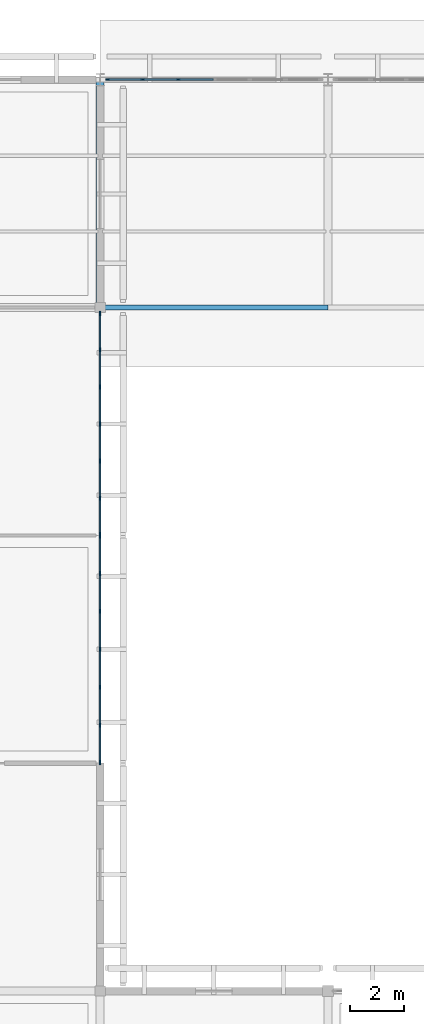
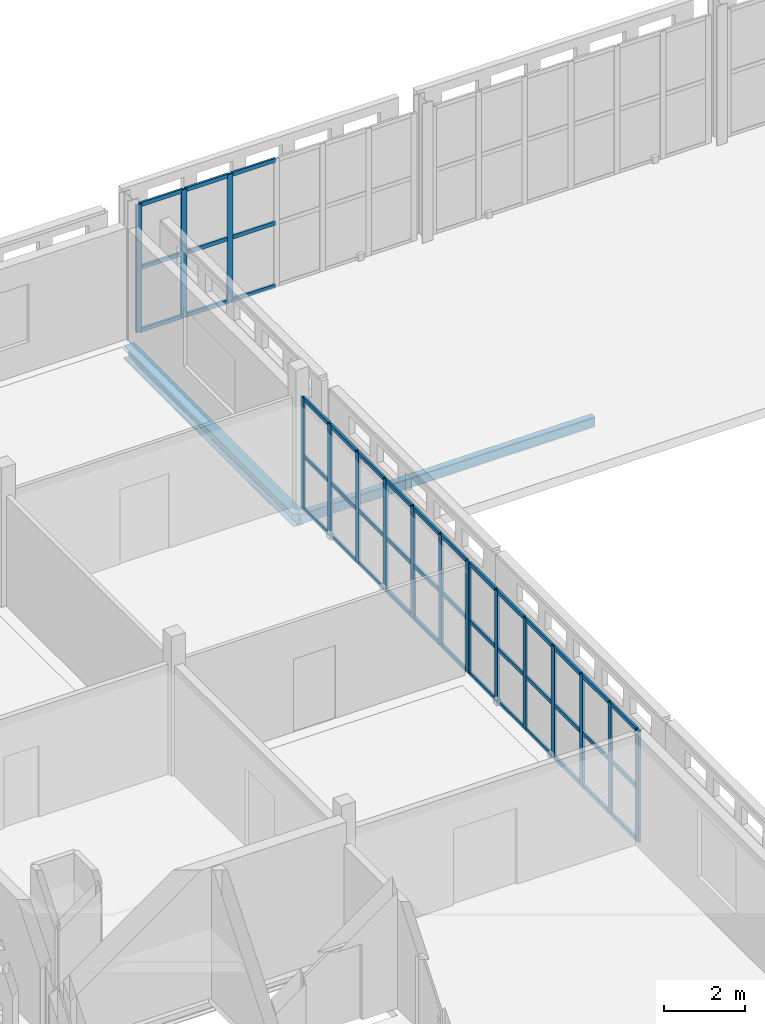
# One storey, part 49 of 166: 62 members, 2 beams, 3 elements without a shape of their own.
"""IFC4 building model written with IfcOpenShell, lengths in metres."""

from ifc_helpers import new_model, si_unit, direction, frame, origin, origin_2d, place, context, subcontext, project, spatial, rectangle, hollow_rectangle, i_section, extrude, material, layer, layer_set, material_profile, profile_set, type_object, element, aggregate, save


model = new_model("IFC4")

# Units and contexts
model_context = context("Model", 3, precision=1e-05, world=origin(), true_north=direction((0.0, 1.0)))
body_context = subcontext(model_context, "Body", "Model", "MODEL_VIEW")
ifc_project = project(units=[si_unit("LENGTHUNIT", "METRE"), si_unit("AREAUNIT", "SQUARE_METRE"), si_unit("VOLUMEUNIT", "CUBIC_METRE"), si_unit("PLANEANGLEUNIT", "RADIAN"), si_unit("MASSUNIT", "GRAM", prefix="KILO")], contexts=[model_context])

# Site, building, storey
site_placement = place(None, origin())
site = spatial("IfcSite", under=ifc_project, at=site_placement, CompositionType="ELEMENT")
building_placement = place(site_placement, origin())
building = spatial("IfcBuilding", under=site, at=building_placement, Name="Varnapada Polytechnic", CompositionType="ELEMENT")
storey_placement = place(building_placement, frame((0.0, 0.0, 9.60009765625)))
storey = spatial("IfcBuildingStorey", under=building, at=storey_placement, Name="L02", CompositionType="ELEMENT", Elevation=9.60009765625)

# Curtain wall, members
ifc_material_1 = material(Name="Double low-E laminated glass", Category="glass")
ifc_layer = layer(ifc_material_1, 0.159912109375)
ifc_layer_set = layer_set([ifc_layer], Name="Double low-E laminated glass")
curtain_wall_type = type_object("IfcCurtainWallType", Name="Curtain Wall CW-02", PredefinedType="NOTDEFINED", material=ifc_layer_set)
curtain_wall_1_placement = place(storey_placement, origin())
curtain_wall_1 = element("IfcCurtainWall", 1, at=curtain_wall_1_placement, inside=storey, type_object=curtain_wall_type, Name="L02 unitised curtain wall CW-02 (163)", PredefinedType="NOTDEFINED")
ifc_material_2 = material(Name="Anodised aluminium", Category="aluminium")
ifc_material_profile_1 = material_profile(ifc_material_2, rectangle(XDim=0.06005859375, YDim=0.159912109375, at=origin_2d()), Name="ALU M60x160")
ifc_profile_set_1 = profile_set([ifc_material_profile_1], Name="Anodised aluminium")
member_type_1 = type_object("IfcMemberType", Name="Mullion M-01", PredefinedType="MULLION", material=ifc_profile_set_1)
member_1_placement = place(storey_placement, frame((67.199951171875, 109.169921875, 0.0), z_axis=(0.0, 0.0, 1.0), x_axis=(1.0, 0.0, 0.0)))
member_1 = element("IfcMember", 2, at=member_1_placement, type_object=member_type_1, Name="CW-02 mullion 1", PredefinedType="MULLION", context=body_context, shape_type="SweptSolid", body=[
    extrude(rectangle(XDim=0.06005859375, YDim=0.159912109375, at=origin_2d()), origin(), (0.0, 0.0, 1.0), 3.35986328125),
])
member_2_placement = place(storey_placement, frame((67.199951171875, 107.800048828125, 0.0), z_axis=(0.0, 0.0, 1.0), x_axis=(1.0, 0.0, 0.0)))
member_2 = element("IfcMember", 3, at=member_2_placement, type_object=member_type_1, Name="CW-02 mullion 2", PredefinedType="MULLION", context=body_context, shape_type="SweptSolid", body=[
    extrude(rectangle(XDim=0.06005859375, YDim=0.159912109375, at=origin_2d()), origin(), (0.0, 0.0, 1.0), 3.35986328125),
])
member_3_placement = place(storey_placement, frame((67.199951171875, 106.39990234375, 0.0), z_axis=(0.0, 0.0, 1.0), x_axis=(1.0, 0.0, 0.0)))
member_3 = element("IfcMember", 4, at=member_3_placement, type_object=member_type_1, Name="CW-02 mullion 3", PredefinedType="MULLION", context=body_context, shape_type="SweptSolid", body=[
    extrude(rectangle(XDim=0.06005859375, YDim=0.159912109375, at=origin_2d()), origin(), (0.0, 0.0, 1.0), 3.35986328125),
])
member_4_placement = place(storey_placement, frame((67.199951171875, 105.0, 0.0), z_axis=(0.0, 0.0, 1.0), x_axis=(1.0, 0.0, 0.0)))
member_4 = element("IfcMember", 5, at=member_4_placement, type_object=member_type_1, Name="CW-02 mullion 4", PredefinedType="MULLION", context=body_context, shape_type="SweptSolid", body=[
    extrude(rectangle(XDim=0.06005859375, YDim=0.159912109375, at=origin_2d()), origin(), (0.0, 0.0, 1.0), 3.35986328125),
])
member_5_placement = place(storey_placement, frame((67.199951171875, 103.60009765625, 0.0), z_axis=(0.0, 0.0, 1.0), x_axis=(1.0, 0.0, 0.0)))
member_5 = element("IfcMember", 6, at=member_5_placement, type_object=member_type_1, Name="CW-02 mullion 5", PredefinedType="MULLION", context=body_context, shape_type="SweptSolid", body=[
    extrude(rectangle(XDim=0.06005859375, YDim=0.159912109375, at=origin_2d()), origin(), (0.0, 0.0, 1.0), 3.35986328125),
])
member_6_placement = place(storey_placement, frame((67.199951171875, 102.199951171875, 0.0), z_axis=(0.0, 0.0, 1.0), x_axis=(1.0, 0.0, 0.0)))
member_6 = element("IfcMember", 7, at=member_6_placement, type_object=member_type_1, Name="CW-02 mullion 6", PredefinedType="MULLION", context=body_context, shape_type="SweptSolid", body=[
    extrude(rectangle(XDim=0.06005859375, YDim=0.159912109375, at=origin_2d()), origin(), (0.0, 0.0, 1.0), 3.35986328125),
])
member_7_placement = place(storey_placement, frame((67.199951171875, 100.830078125, 0.0), z_axis=(0.0, 0.0, 1.0), x_axis=(1.0, 0.0, 0.0)))
member_7 = element("IfcMember", 8, at=member_7_placement, type_object=member_type_1, Name="CW-02 mullion 7", PredefinedType="MULLION", context=body_context, shape_type="SweptSolid", body=[
    extrude(rectangle(XDim=0.06005859375, YDim=0.159912109375, at=origin_2d()), origin(), (0.0, 0.0, 1.0), 3.35986328125),
])

curtain_wall_2_placement = place(storey_placement, origin())
curtain_wall_2 = element("IfcCurtainWall", 9, at=curtain_wall_2_placement, inside=storey, type_object=curtain_wall_type, Name="L02 unitised curtain wall CW-02 (164)", PredefinedType="NOTDEFINED")
member_8_placement = place(storey_placement, frame((67.199951171875, 117.3798828125, 0.0), z_axis=(0.0, 0.0, 1.0), x_axis=(1.0, 0.0, 0.0)))
member_8 = element("IfcMember", 10, at=member_8_placement, type_object=member_type_1, Name="CW-02 mullion 1", PredefinedType="MULLION", context=body_context, shape_type="SweptSolid", body=[
    extrude(rectangle(XDim=0.06005859375, YDim=0.159912109375, at=origin_2d()), origin(), (0.0, 0.0, 1.0), 3.35986328125),
])
member_9_placement = place(storey_placement, frame((67.199951171875, 116.041748046875, 0.0), z_axis=(0.0, 0.0, 1.0), x_axis=(1.0, 0.0, 0.0)))
member_9 = element("IfcMember", 11, at=member_9_placement, type_object=member_type_1, Name="CW-02 mullion 2", PredefinedType="MULLION", context=body_context, shape_type="SweptSolid", body=[
    extrude(rectangle(XDim=0.06005859375, YDim=0.159912109375, at=origin_2d()), origin(), (0.0, 0.0, 1.0), 3.35986328125),
])
member_10_placement = place(storey_placement, frame((67.199951171875, 114.67333984375, 0.0), z_axis=(0.0, 0.0, 1.0), x_axis=(1.0, 0.0, 0.0)))
member_10 = element("IfcMember", 12, at=member_10_placement, type_object=member_type_1, Name="CW-02 mullion 3", PredefinedType="MULLION", context=body_context, shape_type="SweptSolid", body=[
    extrude(rectangle(XDim=0.06005859375, YDim=0.159912109375, at=origin_2d()), origin(), (0.0, 0.0, 1.0), 3.35986328125),
])
member_11_placement = place(storey_placement, frame((67.199951171875, 113.304931640625, 0.0), z_axis=(0.0, 0.0, 1.0), x_axis=(1.0, 0.0, 0.0)))
member_11 = element("IfcMember", 13, at=member_11_placement, type_object=member_type_1, Name="CW-02 mullion 4", PredefinedType="MULLION", context=body_context, shape_type="SweptSolid", body=[
    extrude(rectangle(XDim=0.06005859375, YDim=0.159912109375, at=origin_2d()), origin(), (0.0, 0.0, 1.0), 3.35986328125),
])
member_12_placement = place(storey_placement, frame((67.199951171875, 111.936767578125, 0.0), z_axis=(0.0, 0.0, 1.0), x_axis=(1.0, 0.0, 0.0)))
member_12 = element("IfcMember", 14, at=member_12_placement, type_object=member_type_1, Name="CW-02 mullion 5", PredefinedType="MULLION", context=body_context, shape_type="SweptSolid", body=[
    extrude(rectangle(XDim=0.06005859375, YDim=0.159912109375, at=origin_2d()), origin(), (0.0, 0.0, 1.0), 3.35986328125),
])
member_13_placement = place(storey_placement, frame((67.199951171875, 110.568359375, 0.0), z_axis=(0.0, 0.0, 1.0), x_axis=(1.0, 0.0, 0.0)))
member_13 = element("IfcMember", 15, at=member_13_placement, type_object=member_type_1, Name="CW-02 mullion 6", PredefinedType="MULLION", context=body_context, shape_type="SweptSolid", body=[
    extrude(rectangle(XDim=0.06005859375, YDim=0.159912109375, at=origin_2d()), origin(), (0.0, 0.0, 1.0), 3.35986328125),
])
member_14_placement = place(storey_placement, frame((67.199951171875, 109.22998046875, 0.0), z_axis=(0.0, 0.0, 1.0), x_axis=(1.0, 0.0, 0.0)))
member_14 = element("IfcMember", 16, at=member_14_placement, type_object=member_type_1, Name="CW-02 mullion 7", PredefinedType="MULLION", context=body_context, shape_type="SweptSolid", body=[
    extrude(rectangle(XDim=0.06005859375, YDim=0.159912109375, at=origin_2d()), origin(), (0.0, 0.0, 1.0), 3.35986328125),
])

curtain_wall_3_placement = place(storey_placement, origin())
curtain_wall_3 = element("IfcCurtainWall", 17, at=curtain_wall_3_placement, inside=storey, type_object=curtain_wall_type, Name="L02 high-bay workshop north curtain wall 9", PredefinedType="NOTDEFINED")
member_15_placement = place(storey_placement, frame((67.47998046875, 126.0, 0.0), z_axis=(0.0, 0.0, 1.0), x_axis=(0.0, 1.0, 0.0)))
member_15 = element("IfcMember", 18, at=member_15_placement, type_object=member_type_1, Name="CW-02 mullion 1", PredefinedType="MULLION", context=body_context, shape_type="SweptSolid", body=[
    extrude(rectangle(XDim=0.06005859375, YDim=0.159912109375, at=origin_2d()), origin(), (0.0, 0.0, 1.0), 3.849853515625),
])
member_16_placement = place(storey_placement, frame((68.7666015625, 126.0, 0.0), z_axis=(0.0, 0.0, 1.0), x_axis=(0.0, 1.0, 0.0)))
member_16 = element("IfcMember", 19, at=member_16_placement, type_object=member_type_1, Name="CW-02 mullion 2", PredefinedType="MULLION", context=body_context, shape_type="SweptSolid", body=[
    extrude(rectangle(XDim=0.06005859375, YDim=0.159912109375, at=origin_2d()), origin(), (0.0, 0.0, 1.0), 3.849853515625),
])
member_17_placement = place(storey_placement, frame((70.083251953125, 126.0, 0.0), z_axis=(0.0, 0.0, 1.0), x_axis=(0.0, 1.0, 0.0)))
member_17 = element("IfcMember", 20, at=member_17_placement, type_object=member_type_1, Name="CW-02 mullion 3", PredefinedType="MULLION", context=body_context, shape_type="SweptSolid", body=[
    extrude(rectangle(XDim=0.06005859375, YDim=0.159912109375, at=origin_2d()), origin(), (0.0, 0.0, 1.0), 3.849853515625),
])

# Beam
ifc_material_3 = material(Name="Steel S355", Category="steel")
ifc_material_profile_2 = material_profile(ifc_material_3, i_section(OverallWidth=0.300048828125, OverallDepth=0.389892578125, WebThickness=0.010986328125, FlangeThickness=0.01904296875, FilletRadius=0.027099609375, at=origin_2d()), Name="HEA 400")
ifc_profile_set_2 = profile_set([ifc_material_profile_2], Name="Steel S355")
beam_type_1 = type_object("IfcBeamType", Name="Steel roof primary girder SG-01 (HEA 400)", PredefinedType="BEAM", material=ifc_profile_set_2)
beam_1_placement = place(storey_placement, frame((67.199951171875, 117.60009765625, -0.465087890625), z_axis=(0.0, 1.0, 0.0), x_axis=(-1.0, 0.0, 0.0)))
element("IfcBeam", 21, at=beam_1_placement, inside=storey, type_object=beam_type_1, Name="L02 beam Y 15-16 at X9", PredefinedType="BEAM", context=body_context, shape_type="SweptSolid", body=[
    extrude(i_section(OverallWidth=0.300048828125, OverallDepth=0.389892578125, WebThickness=0.010986328125, FlangeThickness=0.01904296875, FilletRadius=0.027099609375, at=origin_2d()), origin(), (0.0, 0.0, 1.0), 8.39990234375),
])

# Member
ifc_material_profile_3 = material_profile(ifc_material_2, rectangle(XDim=0.06005859375, YDim=0.1201171875, at=origin_2d()), Name="ALU T60x120")
ifc_profile_set_3 = profile_set([ifc_material_profile_3], Name="Anodised aluminium")
member_type_2 = type_object("IfcMemberType", Name="Transom T-01", PredefinedType="USERDEFINED", material=ifc_profile_set_3)
member_18_placement = place(storey_placement, frame((67.199951171875, 109.139892578125, 0.02978515625), z_axis=(0.0, -1.0, 0.0), x_axis=(1.0, 0.0, 0.0)))
member_18 = element("IfcMember", 22, at=member_18_placement, type_object=member_type_2, Name="CW-02 transom 1.1", ObjectType="TRANSOM", PredefinedType="USERDEFINED", context=body_context, shape_type="SweptSolid", body=[
    extrude(rectangle(XDim=0.06005859375, YDim=0.1201171875, at=origin_2d()), origin(), (0.0, 0.0, 1.0), 1.309814453125),
])

member_19_placement = place(storey_placement, frame((67.199951171875, 109.139892578125, 1.61279296875), z_axis=(0.0, -1.0, 0.0), x_axis=(1.0, 0.0, 0.0)))
member_19 = element("IfcMember", 23, at=member_19_placement, type_object=member_type_2, Name="CW-02 transom 1.2", ObjectType="TRANSOM", PredefinedType="USERDEFINED", context=body_context, shape_type="SweptSolid", body=[
    extrude(rectangle(XDim=0.06005859375, YDim=0.1201171875, at=origin_2d()), origin(), (0.0, 0.0, 1.0), 1.309814453125),
])

member_20_placement = place(storey_placement, frame((67.199951171875, 109.139892578125, 3.329833984375), z_axis=(0.0, -1.0, 0.0), x_axis=(1.0, 0.0, 0.0)))
member_20 = element("IfcMember", 24, at=member_20_placement, type_object=member_type_2, Name="CW-02 transom 1.3", ObjectType="TRANSOM", PredefinedType="USERDEFINED", context=body_context, shape_type="SweptSolid", body=[
    extrude(rectangle(XDim=0.06005859375, YDim=0.1201171875, at=origin_2d()), origin(), (0.0, 0.0, 1.0), 1.309814453125),
])

member_21_placement = place(storey_placement, frame((67.199951171875, 107.77001953125, 0.02978515625), z_axis=(0.0, -1.0, 0.0), x_axis=(1.0, 0.0, 0.0)))
member_21 = element("IfcMember", 25, at=member_21_placement, type_object=member_type_2, Name="CW-02 transom 2.1", ObjectType="TRANSOM", PredefinedType="USERDEFINED", context=body_context, shape_type="SweptSolid", body=[
    extrude(rectangle(XDim=0.06005859375, YDim=0.1201171875, at=origin_2d()), origin(), (0.0, 0.0, 1.0), 1.340087890625),
])

member_22_placement = place(storey_placement, frame((67.199951171875, 107.77001953125, 1.61279296875), z_axis=(0.0, -1.0, 0.0), x_axis=(1.0, 0.0, 0.0)))
member_22 = element("IfcMember", 26, at=member_22_placement, type_object=member_type_2, Name="CW-02 transom 2.2", ObjectType="TRANSOM", PredefinedType="USERDEFINED", context=body_context, shape_type="SweptSolid", body=[
    extrude(rectangle(XDim=0.06005859375, YDim=0.1201171875, at=origin_2d()), origin(), (0.0, 0.0, 1.0), 1.340087890625),
])

member_23_placement = place(storey_placement, frame((67.199951171875, 107.77001953125, 3.329833984375), z_axis=(0.0, -1.0, 0.0), x_axis=(1.0, 0.0, 0.0)))
member_23 = element("IfcMember", 27, at=member_23_placement, type_object=member_type_2, Name="CW-02 transom 2.3", ObjectType="TRANSOM", PredefinedType="USERDEFINED", context=body_context, shape_type="SweptSolid", body=[
    extrude(rectangle(XDim=0.06005859375, YDim=0.1201171875, at=origin_2d()), origin(), (0.0, 0.0, 1.0), 1.340087890625),
])

member_24_placement = place(storey_placement, frame((67.199951171875, 106.3701171875, 0.02978515625), z_axis=(0.0, -1.0, 0.0), x_axis=(1.0, 0.0, 0.0)))
member_24 = element("IfcMember", 28, at=member_24_placement, type_object=member_type_2, Name="CW-02 transom 3.1", ObjectType="TRANSOM", PredefinedType="USERDEFINED", context=body_context, shape_type="SweptSolid", body=[
    extrude(rectangle(XDim=0.06005859375, YDim=0.1201171875, at=origin_2d()), origin(), (0.0, 0.0, 1.0), 1.340087890625),
])

member_25_placement = place(storey_placement, frame((67.199951171875, 106.3701171875, 1.61279296875), z_axis=(0.0, -1.0, 0.0), x_axis=(1.0, 0.0, 0.0)))
member_25 = element("IfcMember", 29, at=member_25_placement, type_object=member_type_2, Name="CW-02 transom 3.2", ObjectType="TRANSOM", PredefinedType="USERDEFINED", context=body_context, shape_type="SweptSolid", body=[
    extrude(rectangle(XDim=0.06005859375, YDim=0.1201171875, at=origin_2d()), origin(), (0.0, 0.0, 1.0), 1.340087890625),
])

member_26_placement = place(storey_placement, frame((67.199951171875, 106.3701171875, 3.329833984375), z_axis=(0.0, -1.0, 0.0), x_axis=(1.0, 0.0, 0.0)))
member_26 = element("IfcMember", 30, at=member_26_placement, type_object=member_type_2, Name="CW-02 transom 3.3", ObjectType="TRANSOM", PredefinedType="USERDEFINED", context=body_context, shape_type="SweptSolid", body=[
    extrude(rectangle(XDim=0.06005859375, YDim=0.1201171875, at=origin_2d()), origin(), (0.0, 0.0, 1.0), 1.340087890625),
])

member_27_placement = place(storey_placement, frame((67.199951171875, 104.969970703125, 0.02978515625), z_axis=(0.0, -1.0, 0.0), x_axis=(1.0, 0.0, 0.0)))
member_27 = element("IfcMember", 31, at=member_27_placement, type_object=member_type_2, Name="CW-02 transom 4.1", ObjectType="TRANSOM", PredefinedType="USERDEFINED", context=body_context, shape_type="SweptSolid", body=[
    extrude(rectangle(XDim=0.06005859375, YDim=0.1201171875, at=origin_2d()), origin(), (0.0, 0.0, 1.0), 1.340087890625),
])

member_28_placement = place(storey_placement, frame((67.199951171875, 104.969970703125, 1.61279296875), z_axis=(0.0, -1.0, 0.0), x_axis=(1.0, 0.0, 0.0)))
member_28 = element("IfcMember", 32, at=member_28_placement, type_object=member_type_2, Name="CW-02 transom 4.2", ObjectType="TRANSOM", PredefinedType="USERDEFINED", context=body_context, shape_type="SweptSolid", body=[
    extrude(rectangle(XDim=0.06005859375, YDim=0.1201171875, at=origin_2d()), origin(), (0.0, 0.0, 1.0), 1.340087890625),
])

member_29_placement = place(storey_placement, frame((67.199951171875, 104.969970703125, 3.329833984375), z_axis=(0.0, -1.0, 0.0), x_axis=(1.0, 0.0, 0.0)))
member_29 = element("IfcMember", 33, at=member_29_placement, type_object=member_type_2, Name="CW-02 transom 4.3", ObjectType="TRANSOM", PredefinedType="USERDEFINED", context=body_context, shape_type="SweptSolid", body=[
    extrude(rectangle(XDim=0.06005859375, YDim=0.1201171875, at=origin_2d()), origin(), (0.0, 0.0, 1.0), 1.340087890625),
])

member_30_placement = place(storey_placement, frame((67.199951171875, 103.570068359375, 0.02978515625), z_axis=(0.0, -1.0, 0.0), x_axis=(1.0, 0.0, 0.0)))
member_30 = element("IfcMember", 34, at=member_30_placement, type_object=member_type_2, Name="CW-02 transom 5.1", ObjectType="TRANSOM", PredefinedType="USERDEFINED", context=body_context, shape_type="SweptSolid", body=[
    extrude(rectangle(XDim=0.06005859375, YDim=0.1201171875, at=origin_2d()), origin(), (0.0, 0.0, 1.0), 1.340087890625),
])

member_31_placement = place(storey_placement, frame((67.199951171875, 103.570068359375, 1.61279296875), z_axis=(0.0, -1.0, 0.0), x_axis=(1.0, 0.0, 0.0)))
member_31 = element("IfcMember", 35, at=member_31_placement, type_object=member_type_2, Name="CW-02 transom 5.2", ObjectType="TRANSOM", PredefinedType="USERDEFINED", context=body_context, shape_type="SweptSolid", body=[
    extrude(rectangle(XDim=0.06005859375, YDim=0.1201171875, at=origin_2d()), origin(), (0.0, 0.0, 1.0), 1.340087890625),
])

member_32_placement = place(storey_placement, frame((67.199951171875, 103.570068359375, 3.329833984375), z_axis=(0.0, -1.0, 0.0), x_axis=(1.0, 0.0, 0.0)))
member_32 = element("IfcMember", 36, at=member_32_placement, type_object=member_type_2, Name="CW-02 transom 5.3", ObjectType="TRANSOM", PredefinedType="USERDEFINED", context=body_context, shape_type="SweptSolid", body=[
    extrude(rectangle(XDim=0.06005859375, YDim=0.1201171875, at=origin_2d()), origin(), (0.0, 0.0, 1.0), 1.340087890625),
])

member_33_placement = place(storey_placement, frame((67.199951171875, 102.169921875, 0.02978515625), z_axis=(0.0, -1.0, 0.0), x_axis=(1.0, 0.0, 0.0)))
member_33 = element("IfcMember", 37, at=member_33_placement, type_object=member_type_2, Name="CW-02 transom 6.1", ObjectType="TRANSOM", PredefinedType="USERDEFINED", context=body_context, shape_type="SweptSolid", body=[
    extrude(rectangle(XDim=0.06005859375, YDim=0.1201171875, at=origin_2d()), origin(), (0.0, 0.0, 1.0), 1.309814453125),
])

member_34_placement = place(storey_placement, frame((67.199951171875, 102.169921875, 1.61279296875), z_axis=(0.0, -1.0, 0.0), x_axis=(1.0, 0.0, 0.0)))
member_34 = element("IfcMember", 38, at=member_34_placement, type_object=member_type_2, Name="CW-02 transom 6.2", ObjectType="TRANSOM", PredefinedType="USERDEFINED", context=body_context, shape_type="SweptSolid", body=[
    extrude(rectangle(XDim=0.06005859375, YDim=0.1201171875, at=origin_2d()), origin(), (0.0, 0.0, 1.0), 1.309814453125),
])

member_35_placement = place(storey_placement, frame((67.199951171875, 102.169921875, 3.329833984375), z_axis=(0.0, -1.0, 0.0), x_axis=(1.0, 0.0, 0.0)))
member_35 = element("IfcMember", 39, at=member_35_placement, type_object=member_type_2, Name="CW-02 transom 6.3", ObjectType="TRANSOM", PredefinedType="USERDEFINED", context=body_context, shape_type="SweptSolid", body=[
    extrude(rectangle(XDim=0.06005859375, YDim=0.1201171875, at=origin_2d()), origin(), (0.0, 0.0, 1.0), 1.309814453125),
])

aggregate(curtain_wall_1, [member_1, member_2, member_3, member_4, member_5, member_6, member_7, member_18, member_19, member_20, member_21, member_22, member_23, member_24, member_25, member_26, member_27, member_28, member_29, member_30, member_31, member_32, member_33, member_34, member_35])

member_36_placement = place(storey_placement, frame((67.199951171875, 117.35009765625, 0.02978515625), z_axis=(0.0, -1.0, 0.0), x_axis=(1.0, 0.0, 0.0)))
member_36 = element("IfcMember", 40, at=member_36_placement, type_object=member_type_2, Name="CW-02 transom 1.1", ObjectType="TRANSOM", PredefinedType="USERDEFINED", context=body_context, shape_type="SweptSolid", body=[
    extrude(rectangle(XDim=0.06005859375, YDim=0.1201171875, at=origin_2d()), origin(), (0.0, 0.0, 1.0), 1.2783203125),
])

member_37_placement = place(storey_placement, frame((67.199951171875, 117.35009765625, 1.61279296875), z_axis=(0.0, -1.0, 0.0), x_axis=(1.0, 0.0, 0.0)))
member_37 = element("IfcMember", 41, at=member_37_placement, type_object=member_type_2, Name="CW-02 transom 1.2", ObjectType="TRANSOM", PredefinedType="USERDEFINED", context=body_context, shape_type="SweptSolid", body=[
    extrude(rectangle(XDim=0.06005859375, YDim=0.1201171875, at=origin_2d()), origin(), (0.0, 0.0, 1.0), 1.2783203125),
])

member_38_placement = place(storey_placement, frame((67.199951171875, 117.35009765625, 3.329833984375), z_axis=(0.0, -1.0, 0.0), x_axis=(1.0, 0.0, 0.0)))
member_38 = element("IfcMember", 42, at=member_38_placement, type_object=member_type_2, Name="CW-02 transom 1.3", ObjectType="TRANSOM", PredefinedType="USERDEFINED", context=body_context, shape_type="SweptSolid", body=[
    extrude(rectangle(XDim=0.06005859375, YDim=0.1201171875, at=origin_2d()), origin(), (0.0, 0.0, 1.0), 1.2783203125),
])

member_39_placement = place(storey_placement, frame((67.199951171875, 116.01171875, 0.02978515625), z_axis=(0.0, -1.0, 0.0), x_axis=(1.0, 0.0, 0.0)))
member_39 = element("IfcMember", 43, at=member_39_placement, type_object=member_type_2, Name="CW-02 transom 2.1", ObjectType="TRANSOM", PredefinedType="USERDEFINED", context=body_context, shape_type="SweptSolid", body=[
    extrude(rectangle(XDim=0.06005859375, YDim=0.1201171875, at=origin_2d()), origin(), (0.0, 0.0, 1.0), 1.308349609375),
])

member_40_placement = place(storey_placement, frame((67.199951171875, 116.01171875, 1.61279296875), z_axis=(0.0, -1.0, 0.0), x_axis=(1.0, 0.0, 0.0)))
member_40 = element("IfcMember", 44, at=member_40_placement, type_object=member_type_2, Name="CW-02 transom 2.2", ObjectType="TRANSOM", PredefinedType="USERDEFINED", context=body_context, shape_type="SweptSolid", body=[
    extrude(rectangle(XDim=0.06005859375, YDim=0.1201171875, at=origin_2d()), origin(), (0.0, 0.0, 1.0), 1.308349609375),
])

member_41_placement = place(storey_placement, frame((67.199951171875, 116.01171875, 3.329833984375), z_axis=(0.0, -1.0, 0.0), x_axis=(1.0, 0.0, 0.0)))
member_41 = element("IfcMember", 45, at=member_41_placement, type_object=member_type_2, Name="CW-02 transom 2.3", ObjectType="TRANSOM", PredefinedType="USERDEFINED", context=body_context, shape_type="SweptSolid", body=[
    extrude(rectangle(XDim=0.06005859375, YDim=0.1201171875, at=origin_2d()), origin(), (0.0, 0.0, 1.0), 1.308349609375),
])

member_42_placement = place(storey_placement, frame((67.199951171875, 114.643310546875, 0.02978515625), z_axis=(0.0, -1.0, 0.0), x_axis=(1.0, 0.0, 0.0)))
member_42 = element("IfcMember", 46, at=member_42_placement, type_object=member_type_2, Name="CW-02 transom 3.1", ObjectType="TRANSOM", PredefinedType="USERDEFINED", context=body_context, shape_type="SweptSolid", body=[
    extrude(rectangle(XDim=0.06005859375, YDim=0.1201171875, at=origin_2d()), origin(), (0.0, 0.0, 1.0), 1.308349609375),
])

member_43_placement = place(storey_placement, frame((67.199951171875, 114.643310546875, 1.61279296875), z_axis=(0.0, -1.0, 0.0), x_axis=(1.0, 0.0, 0.0)))
member_43 = element("IfcMember", 47, at=member_43_placement, type_object=member_type_2, Name="CW-02 transom 3.2", ObjectType="TRANSOM", PredefinedType="USERDEFINED", context=body_context, shape_type="SweptSolid", body=[
    extrude(rectangle(XDim=0.06005859375, YDim=0.1201171875, at=origin_2d()), origin(), (0.0, 0.0, 1.0), 1.308349609375),
])

member_44_placement = place(storey_placement, frame((67.199951171875, 114.643310546875, 3.329833984375), z_axis=(0.0, -1.0, 0.0), x_axis=(1.0, 0.0, 0.0)))
member_44 = element("IfcMember", 48, at=member_44_placement, type_object=member_type_2, Name="CW-02 transom 3.3", ObjectType="TRANSOM", PredefinedType="USERDEFINED", context=body_context, shape_type="SweptSolid", body=[
    extrude(rectangle(XDim=0.06005859375, YDim=0.1201171875, at=origin_2d()), origin(), (0.0, 0.0, 1.0), 1.308349609375),
])

member_45_placement = place(storey_placement, frame((67.199951171875, 113.27490234375, 0.02978515625), z_axis=(0.0, -1.0, 0.0), x_axis=(1.0, 0.0, 0.0)))
member_45 = element("IfcMember", 49, at=member_45_placement, type_object=member_type_2, Name="CW-02 transom 4.1", ObjectType="TRANSOM", PredefinedType="USERDEFINED", context=body_context, shape_type="SweptSolid", body=[
    extrude(rectangle(XDim=0.06005859375, YDim=0.1201171875, at=origin_2d()), origin(), (0.0, 0.0, 1.0), 1.308349609375),
])

member_46_placement = place(storey_placement, frame((67.199951171875, 113.27490234375, 1.61279296875), z_axis=(0.0, -1.0, 0.0), x_axis=(1.0, 0.0, 0.0)))
member_46 = element("IfcMember", 50, at=member_46_placement, type_object=member_type_2, Name="CW-02 transom 4.2", ObjectType="TRANSOM", PredefinedType="USERDEFINED", context=body_context, shape_type="SweptSolid", body=[
    extrude(rectangle(XDim=0.06005859375, YDim=0.1201171875, at=origin_2d()), origin(), (0.0, 0.0, 1.0), 1.308349609375),
])

member_47_placement = place(storey_placement, frame((67.199951171875, 113.27490234375, 3.329833984375), z_axis=(0.0, -1.0, 0.0), x_axis=(1.0, 0.0, 0.0)))
member_47 = element("IfcMember", 51, at=member_47_placement, type_object=member_type_2, Name="CW-02 transom 4.3", ObjectType="TRANSOM", PredefinedType="USERDEFINED", context=body_context, shape_type="SweptSolid", body=[
    extrude(rectangle(XDim=0.06005859375, YDim=0.1201171875, at=origin_2d()), origin(), (0.0, 0.0, 1.0), 1.308349609375),
])

member_48_placement = place(storey_placement, frame((67.199951171875, 111.90673828125, 0.02978515625), z_axis=(0.0, -1.0, 0.0), x_axis=(1.0, 0.0, 0.0)))
member_48 = element("IfcMember", 52, at=member_48_placement, type_object=member_type_2, Name="CW-02 transom 5.1", ObjectType="TRANSOM", PredefinedType="USERDEFINED", context=body_context, shape_type="SweptSolid", body=[
    extrude(rectangle(XDim=0.06005859375, YDim=0.1201171875, at=origin_2d()), origin(), (0.0, 0.0, 1.0), 1.308349609375),
])

member_49_placement = place(storey_placement, frame((67.199951171875, 111.90673828125, 1.61279296875), z_axis=(0.0, -1.0, 0.0), x_axis=(1.0, 0.0, 0.0)))
member_49 = element("IfcMember", 53, at=member_49_placement, type_object=member_type_2, Name="CW-02 transom 5.2", ObjectType="TRANSOM", PredefinedType="USERDEFINED", context=body_context, shape_type="SweptSolid", body=[
    extrude(rectangle(XDim=0.06005859375, YDim=0.1201171875, at=origin_2d()), origin(), (0.0, 0.0, 1.0), 1.308349609375),
])

member_50_placement = place(storey_placement, frame((67.199951171875, 111.90673828125, 3.329833984375), z_axis=(0.0, -1.0, 0.0), x_axis=(1.0, 0.0, 0.0)))
member_50 = element("IfcMember", 54, at=member_50_placement, type_object=member_type_2, Name="CW-02 transom 5.3", ObjectType="TRANSOM", PredefinedType="USERDEFINED", context=body_context, shape_type="SweptSolid", body=[
    extrude(rectangle(XDim=0.06005859375, YDim=0.1201171875, at=origin_2d()), origin(), (0.0, 0.0, 1.0), 1.308349609375),
])

member_51_placement = place(storey_placement, frame((67.199951171875, 110.538330078125, 0.02978515625), z_axis=(0.0, -1.0, 0.0), x_axis=(1.0, 0.0, 0.0)))
member_51 = element("IfcMember", 55, at=member_51_placement, type_object=member_type_2, Name="CW-02 transom 6.1", ObjectType="TRANSOM", PredefinedType="USERDEFINED", context=body_context, shape_type="SweptSolid", body=[
    extrude(rectangle(XDim=0.06005859375, YDim=0.1201171875, at=origin_2d()), origin(), (0.0, 0.0, 1.0), 1.2783203125),
])

member_52_placement = place(storey_placement, frame((67.199951171875, 110.538330078125, 1.61279296875), z_axis=(0.0, -1.0, 0.0), x_axis=(1.0, 0.0, 0.0)))
member_52 = element("IfcMember", 56, at=member_52_placement, type_object=member_type_2, Name="CW-02 transom 6.2", ObjectType="TRANSOM", PredefinedType="USERDEFINED", context=body_context, shape_type="SweptSolid", body=[
    extrude(rectangle(XDim=0.06005859375, YDim=0.1201171875, at=origin_2d()), origin(), (0.0, 0.0, 1.0), 1.2783203125),
])

member_53_placement = place(storey_placement, frame((67.199951171875, 110.538330078125, 3.329833984375), z_axis=(0.0, -1.0, 0.0), x_axis=(1.0, 0.0, 0.0)))
member_53 = element("IfcMember", 57, at=member_53_placement, type_object=member_type_2, Name="CW-02 transom 6.3", ObjectType="TRANSOM", PredefinedType="USERDEFINED", context=body_context, shape_type="SweptSolid", body=[
    extrude(rectangle(XDim=0.06005859375, YDim=0.1201171875, at=origin_2d()), origin(), (0.0, 0.0, 1.0), 1.2783203125),
])

aggregate(curtain_wall_2, [member_8, member_9, member_10, member_11, member_12, member_13, member_14, member_36, member_37, member_38, member_39, member_40, member_41, member_42, member_43, member_44, member_45, member_46, member_47, member_48, member_49, member_50, member_51, member_52, member_53])

member_54_placement = place(storey_placement, frame((67.510009765625, 126.0, 0.02978515625), z_axis=(1.0, 0.0, 0.0), x_axis=(0.0, 1.0, 0.0)))
member_54 = element("IfcMember", 58, at=member_54_placement, type_object=member_type_2, Name="CW-02 transom 1.1", ObjectType="TRANSOM", PredefinedType="USERDEFINED", context=body_context, shape_type="SweptSolid", body=[
    extrude(rectangle(XDim=0.06005859375, YDim=0.1201171875, at=origin_2d()), origin(), (0.0, 0.0, 1.0), 1.2265625),
])

member_55_placement = place(storey_placement, frame((67.510009765625, 126.0, 1.9248046875), z_axis=(1.0, 0.0, 0.0), x_axis=(0.0, 1.0, 0.0)))
member_55 = element("IfcMember", 59, at=member_55_placement, type_object=member_type_2, Name="CW-02 transom 1.2", ObjectType="TRANSOM", PredefinedType="USERDEFINED", context=body_context, shape_type="SweptSolid", body=[
    extrude(rectangle(XDim=0.06005859375, YDim=0.1201171875, at=origin_2d()), origin(), (0.0, 0.0, 1.0), 1.2265625),
])

member_56_placement = place(storey_placement, frame((67.510009765625, 126.0, 3.81982421875), z_axis=(1.0, 0.0, 0.0), x_axis=(0.0, 1.0, 0.0)))
member_56 = element("IfcMember", 60, at=member_56_placement, type_object=member_type_2, Name="CW-02 transom 1.3", ObjectType="TRANSOM", PredefinedType="USERDEFINED", context=body_context, shape_type="SweptSolid", body=[
    extrude(rectangle(XDim=0.06005859375, YDim=0.1201171875, at=origin_2d()), origin(), (0.0, 0.0, 1.0), 1.2265625),
])

member_57_placement = place(storey_placement, frame((68.796630859375, 126.0, 0.02978515625), z_axis=(1.0, 0.0, 0.0), x_axis=(0.0, 1.0, 0.0)))
member_57 = element("IfcMember", 61, at=member_57_placement, type_object=member_type_2, Name="CW-02 transom 2.1", ObjectType="TRANSOM", PredefinedType="USERDEFINED", context=body_context, shape_type="SweptSolid", body=[
    extrude(rectangle(XDim=0.06005859375, YDim=0.1201171875, at=origin_2d()), origin(), (0.0, 0.0, 1.0), 1.256591796875),
])

member_58_placement = place(storey_placement, frame((68.796630859375, 126.0, 1.9248046875), z_axis=(1.0, 0.0, 0.0), x_axis=(0.0, 1.0, 0.0)))
member_58 = element("IfcMember", 62, at=member_58_placement, type_object=member_type_2, Name="CW-02 transom 2.2", ObjectType="TRANSOM", PredefinedType="USERDEFINED", context=body_context, shape_type="SweptSolid", body=[
    extrude(rectangle(XDim=0.06005859375, YDim=0.1201171875, at=origin_2d()), origin(), (0.0, 0.0, 1.0), 1.256591796875),
])

member_59_placement = place(storey_placement, frame((68.796630859375, 126.0, 3.81982421875), z_axis=(1.0, 0.0, 0.0), x_axis=(0.0, 1.0, 0.0)))
member_59 = element("IfcMember", 63, at=member_59_placement, type_object=member_type_2, Name="CW-02 transom 2.3", ObjectType="TRANSOM", PredefinedType="USERDEFINED", context=body_context, shape_type="SweptSolid", body=[
    extrude(rectangle(XDim=0.06005859375, YDim=0.1201171875, at=origin_2d()), origin(), (0.0, 0.0, 1.0), 1.256591796875),
])

member_60_placement = place(storey_placement, frame((70.11328125, 126.0, 0.02978515625), z_axis=(1.0, 0.0, 0.0), x_axis=(0.0, 1.0, 0.0)))
member_60 = element("IfcMember", 64, at=member_60_placement, type_object=member_type_2, Name="CW-02 transom 3.1", ObjectType="TRANSOM", PredefinedType="USERDEFINED", context=body_context, shape_type="SweptSolid", body=[
    extrude(rectangle(XDim=0.06005859375, YDim=0.1201171875, at=origin_2d()), origin(), (0.0, 0.0, 1.0), 1.2568359375),
])

member_61_placement = place(storey_placement, frame((70.11328125, 126.0, 1.9248046875), z_axis=(1.0, 0.0, 0.0), x_axis=(0.0, 1.0, 0.0)))
member_61 = element("IfcMember", 65, at=member_61_placement, type_object=member_type_2, Name="CW-02 transom 3.2", ObjectType="TRANSOM", PredefinedType="USERDEFINED", context=body_context, shape_type="SweptSolid", body=[
    extrude(rectangle(XDim=0.06005859375, YDim=0.1201171875, at=origin_2d()), origin(), (0.0, 0.0, 1.0), 1.2568359375),
])

member_62_placement = place(storey_placement, frame((70.11328125, 126.0, 3.81982421875), z_axis=(1.0, 0.0, 0.0), x_axis=(0.0, 1.0, 0.0)))
member_62 = element("IfcMember", 66, at=member_62_placement, type_object=member_type_2, Name="CW-02 transom 3.3", ObjectType="TRANSOM", PredefinedType="USERDEFINED", context=body_context, shape_type="SweptSolid", body=[
    extrude(rectangle(XDim=0.06005859375, YDim=0.1201171875, at=origin_2d()), origin(), (0.0, 0.0, 1.0), 1.2568359375),
])

aggregate(curtain_wall_3, [member_15, member_16, member_17, member_54, member_55, member_56, member_57, member_58, member_59, member_60, member_61, member_62])

# Beam
ifc_material_profile_4 = material_profile(ifc_material_3, hollow_rectangle(XDim=0.199951171875, YDim=0.300048828125, WallThickness=0.010009765625, InnerFilletRadius=0.010009765625, OuterFilletRadius=0.02001953125, at=origin_2d()), Name="RHS 300x200x10")
ifc_profile_set_4 = profile_set([ifc_material_profile_4], Name="Steel S355")
beam_type_2 = type_object("IfcBeamType", Name="Workshop steel spandrel tie SP-03 (RHS 300x200x10)", PredefinedType="SPANDREL", material=ifc_profile_set_4)
beam_2_placement = place(storey_placement, frame((67.199951171875, 117.60009765625, -0.420166015625), z_axis=(1.0, 0.0, 0.0), x_axis=(0.0, 1.0, 0.0)))
element("IfcBeam", 67, at=beam_2_placement, inside=storey, type_object=beam_type_2, Name="L02 beam X 9-10 at Y15", PredefinedType="SPANDREL", context=body_context, shape_type="SweptSolid", body=[
    extrude(hollow_rectangle(XDim=0.199951171875, YDim=0.300048828125, WallThickness=0.010009765625, InnerFilletRadius=0.010009765625, OuterFilletRadius=0.02001953125, at=origin_2d()), origin(), (0.0, 0.0, 1.0), 8.400146484375),
])

save(model, "model.ifc")
